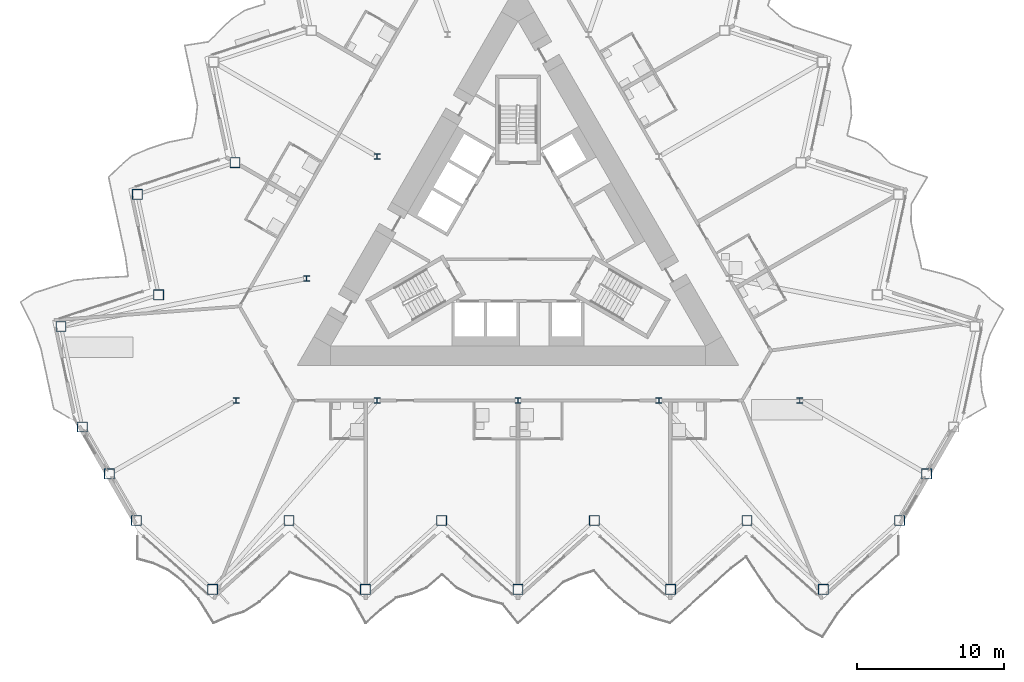
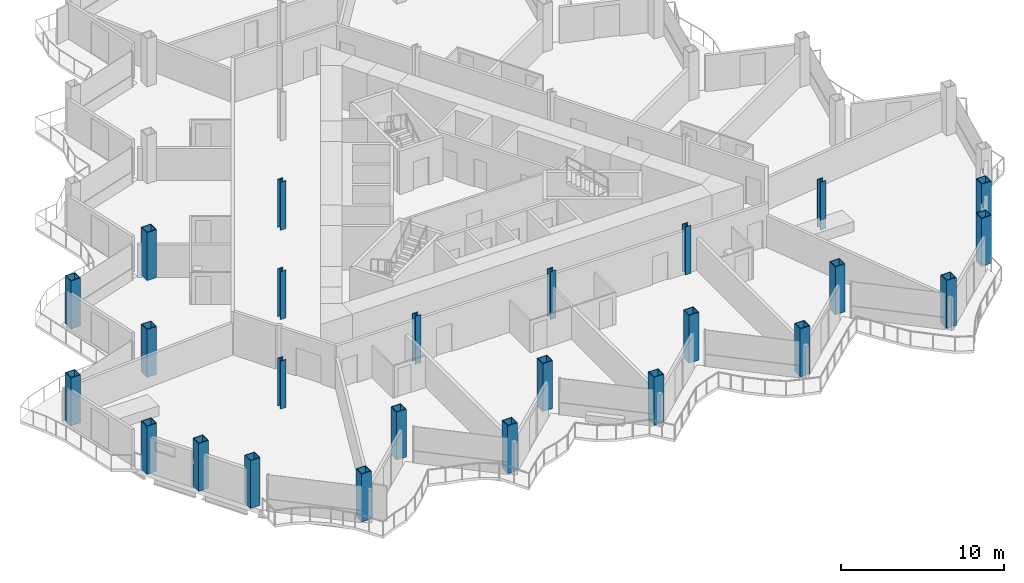
# One storey, part 1 of 24: 25 columns.
"""IFC4 building model written with IfcOpenShell, lengths in metres."""

from ifc_helpers import new_model, si_unit, direction, frame, origin, origin_2d, place, context, subcontext, project, spatial, hollow_rectangle, i_section, extrude, material, material_profile, profile_set, type_object, element, save


model = new_model("IFC4")

# Units and contexts
model_context = context("Model", 3, precision=1e-05, world=origin(), true_north=direction((0.0, 1.0)))
body_context = subcontext(model_context, "Body", "Model", "MODEL_VIEW")
ifc_project = project(units=[si_unit("LENGTHUNIT", "METRE"), si_unit("AREAUNIT", "SQUARE_METRE"), si_unit("VOLUMEUNIT", "CUBIC_METRE"), si_unit("PLANEANGLEUNIT", "RADIAN"), si_unit("MASSUNIT", "GRAM", prefix="KILO")], contexts=[model_context])

# Site, building, storey
site_placement = place(None, origin())
site = spatial("IfcSite", under=ifc_project, at=site_placement, CompositionType="ELEMENT")
building_placement = place(site_placement, origin())
building = spatial("IfcBuilding", under=site, at=building_placement, Name="Cormorant Prow Tower", CompositionType="ELEMENT")
storey_placement = place(building_placement, frame((0.0, 0.0, 234.60009765625)))
storey = spatial("IfcBuildingStorey", under=building, at=storey_placement, Name="L51", CompositionType="ELEMENT", Elevation=234.60009765625)

# Columns
ifc_material_1 = material(Name="Structural steel ASTM A572 Gr 50", Category="steel")
ifc_material_profile_1 = material_profile(ifc_material_1, hollow_rectangle(XDim=0.699951171875, YDim=0.699951171875, WallThickness=0.044921875, at=origin_2d()), Name="Box 700x700x45")
ifc_profile_set_1 = profile_set([ifc_material_profile_1], Name="Structural steel ASTM A572 Gr 50")
column_type_1 = type_object("IfcColumnType", Name="Perimeter box column 700x700x45", PredefinedType="COLUMN", material=ifc_profile_set_1)
for number, where, z_axis, x_axis, name in (
    (1, (-25.941162109375, -19.21533203125, 0.0), (0.0, 0.0, 1.0), (1.0, 0.0, 0.0), "Perimeter column C5 at S00 L51"),
    (2, (-20.7529296875, -23.886962890625, 0.0), (0.0, 0.0, 1.0), (1.0, 0.0, 0.0), "Perimeter column C5 at S01 L51"),
    (3, (-15.564697265625, -19.21533203125, 0.0), (0.0, 0.0, 1.0), (1.0, 0.0, 0.0), "Perimeter column C5 at S02 L51"),
    (4, (-10.37646484375, -23.886962890625, 0.0), (0.0, 0.0, 1.0), (1.0, 0.0, 0.0), "Perimeter column C5 at S03 L51"),
    (5, (-5.188232421875, -19.21533203125, 0.0), (0.0, 0.0, 1.0), (1.0, 0.0, 0.0), "Perimeter column C5 at S04 L51"),
    (6, (0.0, -23.886962890625, 0.0), (0.0, 0.0, 1.0), (1.0, 0.0, 0.0), "Perimeter column C5 at S05 L51"),
    (7, (5.188232421875, -19.21533203125, 0.0), (0.0, 0.0, 1.0), (1.0, 0.0, 0.0), "Perimeter column C5 at S06 L51"),
    (8, (10.37646484375, -23.886962890625, 0.0), (0.0, 0.0, 1.0), (1.0, 0.0, 0.0), "Perimeter column C5 at S07 L51"),
    (9, (15.564697265625, -19.21533203125, 0.0), (0.0, 0.0, 1.0), (1.0, 0.0, 0.0), "Perimeter column C5 at S08 L51"),
    (10, (20.7529296875, -23.886962890625, 0.0), (0.0, 0.0, 1.0), (1.0, 0.0, 0.0), "Perimeter column C5 at S09 L51"),
    (11, (25.941162109375, -19.21533203125, 0.0), (0.0, 0.0, 1.0), (1.0, 0.0, 0.0), "Perimeter column C5 at ESE00 L51"),
    (12, (27.7763671875, -16.03662109375, 0.0), (0.0, 0.0, 1.0), (1.0, 0.0, 0.0), "Perimeter column C5 at ESE01 L51"),
    (13, (-19.235107421875, 5.114501953125, 0.0), (0.0, 0.0, 1.0), (1.0, 0.0, 0.0), "Perimeter column C5 at WNW06 L51"),
    (14, (-25.875, 2.957275390625, 0.0), (0.0, 0.0, 1.0), (1.0, 0.0, 0.0), "Perimeter column C5 at WNW07 L51"),
    (15, (-24.42333984375, -3.871826171875, 0.0), (0.0, 0.0, 1.0), (1.0, 0.0, 0.0), "Perimeter column C5 at WNW08 L51"),
    (16, (-31.063232421875, -6.029052734375, 0.0), (0.0, 0.0, 1.0), (1.0, 0.0, 0.0), "Perimeter column C5 at WNW09 L51"),
    (17, (-29.611572265625, -12.858154296875, 0.0), (0.0, 0.0, 1.0), (1.0, 0.0, 0.0), "Perimeter column C5 at WSW00 L51"),
    (18, (-27.7763671875, -16.03662109375, 0.0), (0.0, 0.0, 1.0), (1.0, 0.0, 0.0), "Perimeter column C5 at WSW01 L51"),
):
    element("IfcColumn", number, at=place(storey_placement, frame(where, z_axis=z_axis, x_axis=x_axis)), inside=storey, type_object=column_type_1, Name=name, PredefinedType="COLUMN", context=body_context, shape_type="SweptSolid", body=[
        extrude(hollow_rectangle(XDim=0.699951171875, YDim=0.699951171875, WallThickness=0.044921875, at=origin_2d()), origin(), (0.0, 0.0, 1.0), 3.599853515625),
    ])
ifc_material_2 = material(Name="Structural steel ASTM A992 Gr 50", Category="steel")
ifc_material_profile_2 = material_profile(ifc_material_2, i_section(OverallWidth=0.39892578125, OverallDepth=0.393310546875, WebThickness=0.022705078125, FlangeThickness=0.03662109375, at=origin_2d()), Name="W14x193")
ifc_profile_set_2 = profile_set([ifc_material_profile_2], Name="Structural steel ASTM A992 Gr 50")
column_type_2 = type_object("IfcColumnType", Name="Ring column W14x193", PredefinedType="COLUMN", material=ifc_profile_set_2)
for number, where, z_axis, x_axis, name in (
    (19, (-9.578369140625, 5.530029296875, 0.0), (0.0, 0.0, 1.0), (1.0, 0.0, 0.0), "Ring column 3 L51"),
    (20, (-14.36767578125, -2.76513671875, 0.0), (0.0, 0.0, 1.0), (1.0, 0.0, 0.0), "Ring column 4 L51"),
    (21, (-19.156982421875, -11.060302734375, 0.0), (0.0, 0.0, 1.0), (1.0, 0.0, 0.0), "Ring column 5 L51"),
    (22, (-9.578369140625, -11.060302734375, 0.0), (0.0, 0.0, 1.0), (1.0, 0.0, 0.0), "Ring column 6 L51"),
    (23, (0.0, -11.060302734375, 0.0), (0.0, 0.0, 1.0), (1.0, 0.0, 0.0), "Ring column 7 L51"),
    (24, (9.578369140625, -11.060302734375, 0.0), (0.0, 0.0, 1.0), (1.0, 0.0, 0.0), "Ring column 8 L51"),
    (25, (19.156982421875, -11.060302734375, 0.0), (0.0, 0.0, 1.0), (1.0, 0.0, 0.0), "Ring column 9 L51"),
):
    element("IfcColumn", number, at=place(storey_placement, frame(where, z_axis=z_axis, x_axis=x_axis)), inside=storey, type_object=column_type_2, Name=name, PredefinedType="COLUMN", context=body_context, shape_type="SweptSolid", body=[
        extrude(i_section(OverallWidth=0.39892578125, OverallDepth=0.393310546875, WebThickness=0.022705078125, FlangeThickness=0.03662109375, at=origin_2d()), origin(), (0.0, 0.0, 1.0), 3.599853515625),
    ])

save(model, "model.ifc")
